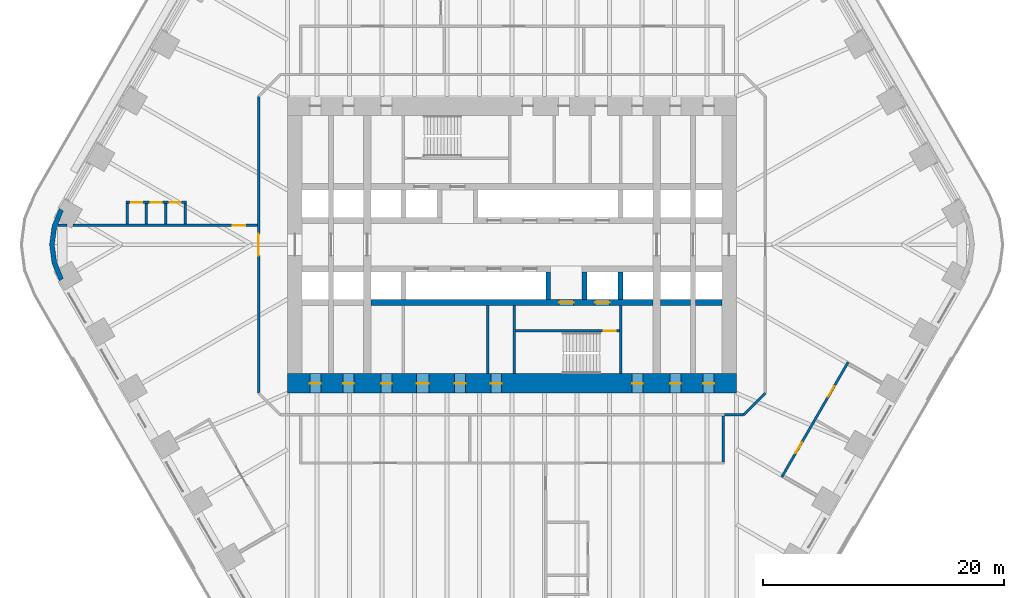
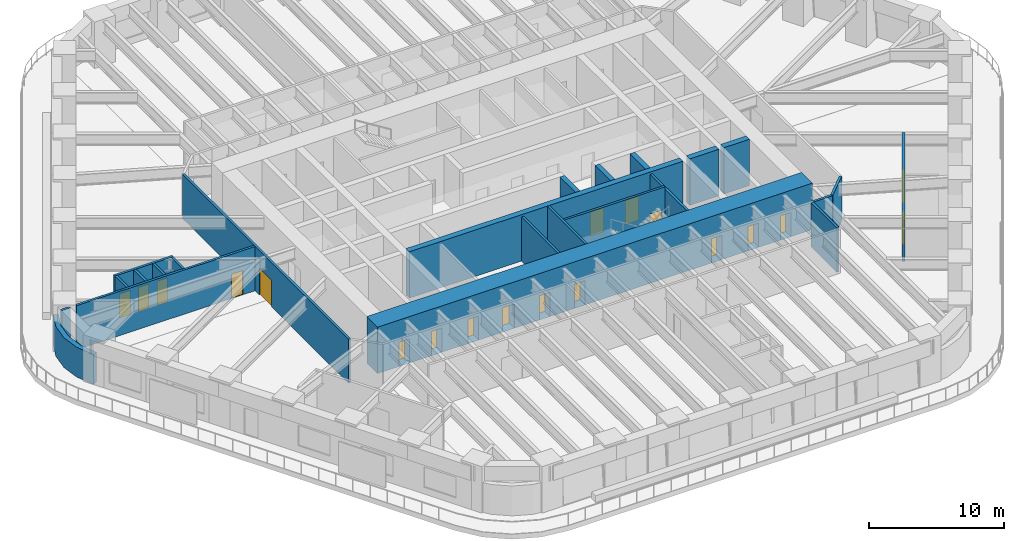
# One storey, part 17 of 23: 24 walls, 19 doors, 19 openings.
"""IFC4 building model written with IfcOpenShell, lengths in metres."""

from ifc_helpers import new_model, si_unit, direction, frame, frame_2d, origin, place, context, subcontext, project, spatial, polyline, rectangle, outline, extrude, material, layer, layer_set, type_object, element, fill, save


model = new_model("IFC4")

# Units and contexts
model_context = context("Model", 3, precision=1e-05, world=origin(), true_north=direction((0.0, 1.0)))
body_context = subcontext(model_context, "Body", "Model", "MODEL_VIEW")
ifc_project = project(units=[si_unit("LENGTHUNIT", "METRE"), si_unit("AREAUNIT", "SQUARE_METRE"), si_unit("VOLUMEUNIT", "CUBIC_METRE"), si_unit("PLANEANGLEUNIT", "RADIAN"), si_unit("MASSUNIT", "GRAM", prefix="KILO")], contexts=[model_context])

# Site, building, storey
site_placement = place(None, origin())
site = spatial("IfcSite", under=ifc_project, at=site_placement, CompositionType="ELEMENT")
building_placement = place(site_placement, origin())
building = spatial("IfcBuilding", under=site, at=building_placement, Name="Tarfa Lantern Tower", CompositionType="ELEMENT")
storey_placement = place(building_placement, frame((0.0, 0.0, 86.5)))
storey = spatial("IfcBuildingStorey", under=building, at=storey_placement, Name="L19", CompositionType="ELEMENT", Elevation=86.5)

# Walls
ifc_material_1 = material(Name="Limestone cladding on blockwork", Category="masonry")
ifc_layer_1 = layer(ifc_material_1, 0.39990234375)
ifc_layer_set_1 = layer_set([ifc_layer_1], Name="EW2 CURVED STONE CORNER 400")
wall_type_1 = type_object("IfcWallType", Name="EW2 CURVED STONE CORNER 400", PredefinedType="SOLIDWALL", material=ifc_layer_set_1)
wall_1_placement = place(storey_placement, origin())
element("IfcWall", 1, at=wall_1_placement, inside=storey, type_object=wall_type_1, Name="Stone corner NW-SW", PredefinedType="SOLIDWALL", context=body_context, shape_type="SweptSolid", body=[
    extrude(outline(polyline([(-37.52783203125, 3.0), (-38.127197265625, 1.552978515625), (-38.33154296875, 0.0), (-38.127197265625, -1.552978515625), (-37.52783203125, -3.0), (-37.181396484375, -2.800048828125), (-37.74072265625, -1.449462890625), (-37.931640625, 0.0), (-37.74072265625, 1.449462890625), (-37.181396484375, 2.800048828125), (-37.52783203125, 3.0)])), origin(), (0.0, 0.0, 1.0), 2.699951171875),
])
ifc_material_2 = material(Name="Concrete blockwork", Category="masonry")
ifc_layer_2 = layer(ifc_material_2, 0.199951171875)
ifc_layer_set_2 = layer_set([ifc_layer_2], Name="IW1 BLOCKWORK PARTITION 200 EI 120")
wall_type_2 = type_object("IfcWallType", Name="IW1 BLOCKWORK PARTITION 200 EI 120", PredefinedType="PARTITIONING", material=ifc_layer_set_2)
for number, where, z_axis, x_axis, name in (
    (2, (9.0, -5.050048828125, 0.0), (0.0, 0.0, 1.0), (0.0, -1.0, 0.0), "Core partition"),
    (3, (-2.0, -5.050048828125, 0.0), (0.0, 0.0, 1.0), (0.0, -1.0, 0.0), "Core partition"),
):
    element("IfcWall", number, at=place(storey_placement, frame(where, z_axis=z_axis, x_axis=x_axis)), inside=storey, type_object=wall_type_2, Name=name, PredefinedType="PARTITIONING", context=body_context, shape_type="SweptSolid", body=[
        extrude(rectangle(XDim=5.64990234375, YDim=0.199951171875, at=frame_2d((2.824951171875, 0.0))), origin(), (0.0, 0.0, 1.0), 4.0),
    ])
ifc_material_3 = material(Name="Gypsum board on steel studs", Category="steel")
ifc_layer_3 = layer(ifc_material_3, 0.2099609375)
ifc_layer_set_3 = layer_set([ifc_layer_3], Name="IW2 ACOUSTIC PARTITION 200")
wall_type_3 = type_object("IfcWallType", Name="IW2 ACOUSTIC PARTITION 200", PredefinedType="PARTITIONING", material=ifc_layer_set_3)
wall_2_placement = place(storey_placement, frame((17.5, -14.199951171875, 0.0), z_axis=(0.0, 0.0, 1.0), x_axis=(0.0, -1.0, 0.0)))
element("IfcWall", 4, at=wall_2_placement, inside=storey, type_object=wall_type_3, Name="Partition", PredefinedType="PARTITIONING", context=body_context, shape_type="SweptSolid", body=[
    extrude(rectangle(XDim=3.800048828125, YDim=0.199951171875, at=frame_2d((1.89990234375, 0.0))), origin(), (0.0, 0.0, 1.0), 4.0),
])

# Wall, openings, doors
wall_3_placement = place(storey_placement, frame((22.370361328125, -19.253173828125, 0.0), z_axis=(0.0, 0.0, 1.0), x_axis=(0.500018936051, 0.866014470774, 0.0)))
wall_3 = element("IfcWall", 5, at=wall_3_placement, inside=storey, type_object=wall_type_3, Name="Partition", PredefinedType="PARTITIONING", context=body_context, shape_type="SweptSolid", body=[
    extrude(rectangle(XDim=10.97705078125, YDim=0.199951171875, at=frame_2d((5.488525390625, 0.0))), origin(), (0.0, 0.0, 1.0), 4.0),
])
opening_1_placement = place(wall_3_placement, frame((2.294189453125, 0.0, 0.0)))
opening_1 = element("IfcOpeningElement", 6, at=opening_1_placement, cuts=wall_3, Name="Opening D29", PredefinedType="OPENING", context=body_context, shape_type="SweptSolid", body=[
    extrude(rectangle(XDim=1.0, YDim=2.199951171875, at=frame_2d((0.5, 1.10009765625))), frame((0.0, 0.10986328125, 0.0), z_axis=(0.0, -1.0, 0.0), x_axis=(1.0, 0.0, 0.0)), (0.0, 0.0, 1.0), 0.219970703125),
])
opening_2_placement = place(wall_3_placement, frame((7.682861328125, 0.0, 0.0)))
opening_2 = element("IfcOpeningElement", 7, at=opening_2_placement, cuts=wall_3, Name="Opening D30", PredefinedType="OPENING", context=body_context, shape_type="SweptSolid", body=[
    extrude(rectangle(XDim=1.0, YDim=2.199951171875, at=frame_2d((0.5, 1.10009765625))), frame((0.0, 0.10986328125, 0.0), z_axis=(0.0, -1.0, 0.0), x_axis=(1.0, 0.0, 0.0)), (0.0, 0.0, 1.0), 0.219970703125),
])
ifc_material_4 = material(Name="Timber door", Category="wood")
door_type_1 = type_object("IfcDoorType", Name="DR1 ROOM DOOR 1000x2200", OperationType="SINGLE_SWING_LEFT", PredefinedType="DOOR", material=ifc_material_4)
door_1_placement = place(opening_1_placement, frame((1.0, 0.0, 0.0), z_axis=(0.0, 0.0, 1.0), x_axis=(-1.0, 0.0, 0.0)))
door_1 = element("IfcDoor", 8, at=door_1_placement, inside=storey, type_object=door_type_1, Name="Wellness room door", OperationType="SINGLE_SWING_LEFT", OverallHeight=2.199951171875, OverallWidth=1.0, PredefinedType="DOOR", context=body_context, shape_type="SweptSolid", body=[
    extrude(rectangle(XDim=1.0, YDim=2.199951171875, at=frame_2d((0.5, 1.10009765625))), frame((0.0, 0.02490234375, 0.0), z_axis=(0.0, -1.0, 0.0), x_axis=(1.0, 0.0, 0.0)), (0.0, 0.0, 1.0), 0.050048828125),
])
fill(opening_1, door_1)
door_2_placement = place(opening_2_placement, frame((1.0, 0.0, 0.0), z_axis=(0.0, 0.0, 1.0), x_axis=(-1.0, 0.0, 0.0)))
door_2 = element("IfcDoor", 9, at=door_2_placement, inside=storey, type_object=door_type_1, Name="Mothers' room door", OperationType="SINGLE_SWING_RIGHT", OverallHeight=2.199951171875, OverallWidth=1.0, PredefinedType="DOOR", context=body_context, shape_type="SweptSolid", body=[
    extrude(rectangle(XDim=1.0, YDim=2.199951171875, at=frame_2d((0.5, 1.10009765625))), frame((0.0, 0.02490234375, 0.0), z_axis=(0.0, -1.0, 0.0), x_axis=(1.0, 0.0, 0.0)), (0.0, 0.0, 1.0), 0.050048828125),
])
fill(opening_2, door_2)

# Walls
wall_4_placement = place(storey_placement, frame((21.0, -12.300048828125, 0.0), z_axis=(0.0, 0.0, 1.0), x_axis=(-0.707106781187, -0.707106781187, 0.0)))
element("IfcWall", 10, at=wall_4_placement, inside=storey, type_object=wall_type_3, Name="Partition", PredefinedType="PARTITIONING", context=body_context, shape_type="SweptSolid", body=[
    extrude(rectangle(XDim=2.545654296875, YDim=0.199951171875, at=frame_2d((1.27294921875, 0.0))), origin(), (0.0, 0.0, 1.0), 4.0),
])
wall_5_placement = place(storey_placement, frame((19.199951171875, -14.10009765625, 0.0), z_axis=(0.0, 0.0, 1.0), x_axis=(-1.0, 0.0, 0.0)))
element("IfcWall", 11, at=wall_5_placement, inside=storey, type_object=wall_type_3, Name="Partition", PredefinedType="PARTITIONING", context=body_context, shape_type="SweptSolid", body=[
    extrude(rectangle(XDim=1.599853515625, YDim=0.199951171875, at=frame_2d((0.7998046875, 0.0))), origin(), (0.0, 0.0, 1.0), 4.0),
])

# Wall, opening, door
wall_6_placement = place(storey_placement, frame((-21.0, -12.300048828125, 0.0), z_axis=(0.0, 0.0, 1.0), x_axis=(0.0, 1.0, 0.0)))
wall_6 = element("IfcWall", 12, at=wall_6_placement, inside=storey, type_object=wall_type_3, Name="Partition", PredefinedType="PARTITIONING", context=body_context, shape_type="SweptSolid", body=[
    extrude(rectangle(XDim=24.60009765625, YDim=0.199951171875, at=frame_2d((12.300048828125, 0.0))), origin(), (0.0, 0.0, 1.0), 4.0),
])
opening_3_placement = place(wall_6_placement, frame((11.39990234375, 0.0, 0.0)))
opening_3 = element("IfcOpeningElement", 13, at=opening_3_placement, cuts=wall_6, Name="Opening D43", PredefinedType="OPENING", context=body_context, shape_type="SweptSolid", body=[
    extrude(rectangle(XDim=1.800048828125, YDim=2.39990234375, at=frame_2d((0.89990234375, 1.199951171875))), frame((0.0, 0.10986328125, 0.0), z_axis=(0.0, -1.0, 0.0), x_axis=(1.0, 0.0, 0.0)), (0.0, 0.0, 1.0), 0.219970703125),
])
door_type_2 = type_object("IfcDoorType", Name="DR2 ROOM DOOR 1800x2400", OperationType="DOUBLE_DOOR_SINGLE_SWING", PredefinedType="DOOR", material=ifc_material_4)
door_3_placement = place(opening_3_placement, origin())
door_3 = element("IfcDoor", 14, at=door_3_placement, inside=storey, type_object=door_type_2, Name="Corridor door", OperationType="DOUBLE_DOOR_SINGLE_SWING", OverallHeight=2.39990234375, OverallWidth=1.800048828125, PredefinedType="DOOR", context=body_context, shape_type="SweptSolid", body=[
    extrude(rectangle(XDim=1.800048828125, YDim=2.39990234375, at=frame_2d((0.89990234375, 1.199951171875))), frame((0.0, 0.02490234375, 0.0), z_axis=(0.0, -1.0, 0.0), x_axis=(1.0, 0.0, 0.0)), (0.0, 0.0, 1.0), 0.050048828125),
])
fill(opening_3, door_3)

wall_7_placement = place(storey_placement, frame((-21.10009765625, 1.60009765625, 0.0), z_axis=(0.0, 0.0, 1.0), x_axis=(-1.0, 0.0, 0.0)))
wall_7 = element("IfcWall", 15, at=wall_7_placement, inside=storey, type_object=wall_type_3, Name="Partition", PredefinedType="PARTITIONING", context=body_context, shape_type="SweptSolid", body=[
    extrude(rectangle(XDim=15.27294921875, YDim=0.199951171875, at=frame_2d((7.636474609375, 0.0))), origin(), (0.0, 0.0, 1.0), 4.0),
])
opening_4_placement = place(wall_7_placement, frame((1.02734375, 0.0, 0.0)))
opening_4 = element("IfcOpeningElement", 16, at=opening_4_placement, cuts=wall_7, Name="Opening D46", PredefinedType="OPENING", context=body_context, shape_type="SweptSolid", body=[
    extrude(rectangle(XDim=1.0, YDim=2.199951171875, at=frame_2d((0.5, 1.10009765625))), frame((0.0, 0.10986328125, 0.0), z_axis=(0.0, -1.0, 0.0), x_axis=(1.0, 0.0, 0.0)), (0.0, 0.0, 1.0), 0.219970703125),
])
door_4_placement = place(opening_4_placement, frame((1.0, 0.0, 0.0), z_axis=(0.0, 0.0, 1.0), x_axis=(-1.0, 0.0, 0.0)))
door_4 = element("IfcDoor", 17, at=door_4_placement, inside=storey, type_object=door_type_1, Name="Zone door", OperationType="SINGLE_SWING_LEFT", OverallHeight=2.199951171875, OverallWidth=1.0, PredefinedType="DOOR", context=body_context, shape_type="SweptSolid", body=[
    extrude(rectangle(XDim=1.0, YDim=2.199951171875, at=frame_2d((0.5, 1.10009765625))), frame((0.0, 0.02490234375, 0.0), z_axis=(0.0, -1.0, 0.0), x_axis=(1.0, 0.0, 0.0)), (0.0, 0.0, 1.0), 0.050048828125),
])
fill(opening_4, door_4)

# Wall
wall_8_placement = place(storey_placement, frame((-36.90283203125, 1.60009765625, 0.0), z_axis=(0.0, 0.0, 1.0), x_axis=(-1.0, 0.0, 0.0)))
element("IfcWall", 18, at=wall_8_placement, inside=storey, type_object=wall_type_3, Name="Partition", PredefinedType="PARTITIONING", context=body_context, shape_type="SweptSolid", body=[
    extrude(rectangle(XDim=0.734375, YDim=0.199951171875, at=frame_2d((0.3671875, 0.0))), origin(), (0.0, 0.0, 1.0), 4.0),
])

# Wall, openings, doors
wall_9_placement = place(storey_placement, frame((-27.000244140625, 3.5, 0.0), z_axis=(0.0, 0.0, 1.0), x_axis=(-1.0, 0.0, 0.0)))
wall_9 = element("IfcWall", 19, at=wall_9_placement, inside=storey, type_object=wall_type_3, Name="Partition", PredefinedType="PARTITIONING", context=body_context, shape_type="SweptSolid", body=[
    extrude(rectangle(XDim=5.0, YDim=0.199951171875, at=frame_2d((2.5, 0.0))), origin(), (0.0, 0.0, 1.0), 4.0),
])
opening_5_placement = place(wall_9_placement, frame((0.449951171875, 0.0, 0.0)))
opening_5 = element("IfcOpeningElement", 20, at=opening_5_placement, cuts=wall_9, Name="Opening D39", PredefinedType="OPENING", context=body_context, shape_type="SweptSolid", body=[
    extrude(rectangle(XDim=0.89990234375, YDim=2.199951171875, at=frame_2d((0.449951171875, 1.10009765625))), frame((0.0, 0.10986328125, 0.0), z_axis=(0.0, -1.0, 0.0), x_axis=(1.0, 0.0, 0.0)), (0.0, 0.0, 1.0), 0.219970703125),
])
opening_6_placement = place(wall_9_placement, frame((2.050048828125, 0.0, 0.0)))
opening_6 = element("IfcOpeningElement", 21, at=opening_6_placement, cuts=wall_9, Name="Opening D40", PredefinedType="OPENING", context=body_context, shape_type="SweptSolid", body=[
    extrude(rectangle(XDim=0.89990234375, YDim=2.199951171875, at=frame_2d((0.449951171875, 1.10009765625))), frame((0.0, 0.10986328125, 0.0), z_axis=(0.0, -1.0, 0.0), x_axis=(1.0, 0.0, 0.0)), (0.0, 0.0, 1.0), 0.219970703125),
])
opening_7_placement = place(wall_9_placement, frame((3.64990234375, 0.0, 0.0)))
opening_7 = element("IfcOpeningElement", 22, at=opening_7_placement, cuts=wall_9, Name="Opening D41", PredefinedType="OPENING", context=body_context, shape_type="SweptSolid", body=[
    extrude(rectangle(XDim=0.89990234375, YDim=2.199951171875, at=frame_2d((0.449951171875, 1.10009765625))), frame((0.0, 0.10986328125, 0.0), z_axis=(0.0, -1.0, 0.0), x_axis=(1.0, 0.0, 0.0)), (0.0, 0.0, 1.0), 0.219970703125),
])
door_type_3 = type_object("IfcDoorType", Name="DR3 ROOM DOOR 900x2200", OperationType="SINGLE_SWING_LEFT", PredefinedType="DOOR", material=ifc_material_4)
door_5_placement = place(opening_5_placement, origin())
door_5 = element("IfcDoor", 23, at=door_5_placement, inside=storey, type_object=door_type_3, Name="Phone booth door", OperationType="SINGLE_SWING_RIGHT", OverallHeight=2.199951171875, OverallWidth=0.89990234375, PredefinedType="DOOR", context=body_context, shape_type="SweptSolid", body=[
    extrude(rectangle(XDim=0.89990234375, YDim=2.199951171875, at=frame_2d((0.449951171875, 1.10009765625))), frame((0.0, 0.02490234375, 0.0), z_axis=(0.0, -1.0, 0.0), x_axis=(1.0, 0.0, 0.0)), (0.0, 0.0, 1.0), 0.050048828125),
])
fill(opening_5, door_5)
door_6_placement = place(opening_6_placement, origin())
door_6 = element("IfcDoor", 24, at=door_6_placement, inside=storey, type_object=door_type_3, Name="Phone booth door", OperationType="SINGLE_SWING_LEFT", OverallHeight=2.199951171875, OverallWidth=0.89990234375, PredefinedType="DOOR", context=body_context, shape_type="SweptSolid", body=[
    extrude(rectangle(XDim=0.89990234375, YDim=2.199951171875, at=frame_2d((0.449951171875, 1.10009765625))), frame((0.0, 0.02490234375, 0.0), z_axis=(0.0, -1.0, 0.0), x_axis=(1.0, 0.0, 0.0)), (0.0, 0.0, 1.0), 0.050048828125),
])
fill(opening_6, door_6)
door_7_placement = place(opening_7_placement, origin())
door_7 = element("IfcDoor", 25, at=door_7_placement, inside=storey, type_object=door_type_3, Name="Phone booth door", OperationType="SINGLE_SWING_LEFT", OverallHeight=2.199951171875, OverallWidth=0.89990234375, PredefinedType="DOOR", context=body_context, shape_type="SweptSolid", body=[
    extrude(rectangle(XDim=0.89990234375, YDim=2.199951171875, at=frame_2d((0.449951171875, 1.10009765625))), frame((0.0, 0.02490234375, 0.0), z_axis=(0.0, -1.0, 0.0), x_axis=(1.0, 0.0, 0.0)), (0.0, 0.0, 1.0), 0.050048828125),
])
fill(opening_7, door_7)

# Walls
for number, where, z_axis, x_axis, name in (
    (26, (-27.10009765625, 1.699951171875, 0.0), (0.0, 0.0, 1.0), (0.0, 1.0, 0.0), "Partition"),
    (27, (-28.7001953125, 1.699951171875, 0.0), (0.0, 0.0, 1.0), (0.0, 1.0, 0.0), "Partition"),
    (28, (-30.30029296875, 1.699951171875, 0.0), (0.0, 0.0, 1.0), (0.0, 1.0, 0.0), "Partition"),
    (29, (-31.900146484375, 1.699951171875, 0.0), (0.0, 0.0, 1.0), (0.0, 1.0, 0.0), "Partition"),
):
    element("IfcWall", number, at=place(storey_placement, frame(where, z_axis=z_axis, x_axis=x_axis)), inside=storey, type_object=wall_type_3, Name=name, PredefinedType="PARTITIONING", context=body_context, shape_type="SweptSolid", body=[
        extrude(rectangle(XDim=1.699951171875, YDim=0.199951171875, at=frame_2d((0.85009765625, 0.0))), origin(), (0.0, 0.0, 1.0), 4.0),
    ])
ifc_material_5 = material(Name="Concrete C80/95", Category="concrete")
ifc_layer_4 = layer(ifc_material_5, 0.199951171875)
ifc_layer_set_4 = layer_set([ifc_layer_4], Name="SW12 CORE WALL 200")
wall_type_4 = type_object("IfcWallType", Name="SW12 CORE WALL 200", PredefinedType="SHEAR", material=ifc_layer_set_4)
wall_10_placement = place(storey_placement, frame((0.199951171875, -5.050048828125, 0.0), z_axis=(0.0, 0.0, 1.0), x_axis=(0.0, -1.0, 0.0)))
element("IfcWall", 30, at=wall_10_placement, inside=storey, type_object=wall_type_4, Name="Core wall stair shaft S", PredefinedType="SHEAR", context=body_context, shape_type="SweptSolid", body=[
    extrude(rectangle(XDim=5.64990234375, YDim=0.199951171875, at=frame_2d((2.824951171875, 0.0))), origin(), (0.0, 0.0, 1.0), 4.199951171875),
])

# Wall, opening, door
wall_11_placement = place(storey_placement, frame((8.89990234375, -7.14990234375, 0.0), z_axis=(0.0, 0.0, 1.0), x_axis=(-1.0, 0.0, 0.0)))
wall_11 = element("IfcWall", 31, at=wall_11_placement, inside=storey, type_object=wall_type_4, Name="Core wall stair partition S", PredefinedType="SHEAR", context=body_context, shape_type="SweptSolid", body=[
    extrude(rectangle(XDim=8.599853515625, YDim=0.199951171875, at=frame_2d((4.2998046875, 0.0))), origin(), (0.0, 0.0, 1.0), 4.199951171875),
])
opening_8_placement = place(wall_11_placement, frame((0.300048828125, 0.0, 0.0)))
opening_8 = element("IfcOpeningElement", 32, at=opening_8_placement, cuts=wall_11, Name="Opening D24", PredefinedType="OPENING", context=body_context, shape_type="SweptSolid", body=[
    extrude(rectangle(XDim=1.0, YDim=2.199951171875, at=frame_2d((0.5, 1.10009765625))), frame((0.0, 0.10986328125, 0.0), z_axis=(0.0, -1.0, 0.0), x_axis=(1.0, 0.0, 0.0)), (0.0, 0.0, 1.0), 0.219970703125),
])
ifc_material_6 = material(Name="Steel fire door", Category="steel")
door_type_4 = type_object("IfcDoorType", Name="DF2 STAIR DOOR 1000x2200", OperationType="SINGLE_SWING_LEFT", PredefinedType="DOOR", material=ifc_material_6)
door_8_placement = place(opening_8_placement, origin())
door_8 = element("IfcDoor", 33, at=door_8_placement, inside=storey, type_object=door_type_4, Name="Stair door", OperationType="SINGLE_SWING_RIGHT", OverallHeight=2.199951171875, OverallWidth=1.0, PredefinedType="DOOR", context=body_context, shape_type="SweptSolid", body=[
    extrude(rectangle(XDim=1.0, YDim=2.199951171875, at=frame_2d((0.5, 1.10009765625))), frame((0.0, 0.02490234375, 0.0), z_axis=(0.0, -1.0, 0.0), x_axis=(1.0, 0.0, 0.0)), (0.0, 0.0, 1.0), 0.050048828125),
])
fill(opening_8, door_8)

# Walls
ifc_layer_5 = layer(ifc_material_5, 0.5)
ifc_layer_set_5 = layer_set([ifc_layer_5], Name="SW5 CORE WALL 500")
wall_type_5 = type_object("IfcWallType", Name="SW5 CORE WALL 500", PredefinedType="SHEAR", material=ifc_layer_set_5)
wall_12_placement = place(storey_placement, frame((17.39990234375, -4.800048828125, 0.0), z_axis=(0.0, 0.0, 1.0), x_axis=(-1.0, 0.0, 0.0)))
element("IfcWall", 34, at=wall_12_placement, inside=storey, type_object=wall_type_5, Name="Core wall rear S", PredefinedType="SHEAR", context=body_context, shape_type="SweptSolid", body=[
    extrude(rectangle(XDim=2.199951171875, YDim=0.5, at=frame_2d((1.10009765625, 0.0))), origin(), (0.0, 0.0, 1.0), 4.199951171875),
])
wall_13_placement = place(storey_placement, frame((14.800048828125, -4.800048828125, 0.0), z_axis=(0.0, 0.0, 1.0), x_axis=(-1.0, 0.0, 0.0)))
element("IfcWall", 35, at=wall_13_placement, inside=storey, type_object=wall_type_5, Name="Core wall rear S", PredefinedType="SHEAR", context=body_context, shape_type="SweptSolid", body=[
    extrude(rectangle(XDim=2.5, YDim=0.5, at=frame_2d((1.25, 0.0))), origin(), (0.0, 0.0, 1.0), 4.199951171875),
])

# Wall, openings, doors
wall_14_placement = place(storey_placement, frame((11.699951171875, -4.800048828125, 0.0), z_axis=(0.0, 0.0, 1.0), x_axis=(-1.0, 0.0, 0.0)))
wall_14 = element("IfcWall", 36, at=wall_14_placement, inside=storey, type_object=wall_type_5, Name="Core wall rear S", PredefinedType="SHEAR", context=body_context, shape_type="SweptSolid", body=[
    extrude(rectangle(XDim=23.39990234375, YDim=0.5, at=frame_2d((11.699951171875, 0.0))), origin(), (0.0, 0.0, 1.0), 4.199951171875),
])
opening_9_placement = place(wall_14_placement, frame((6.60009765625, 0.0, 0.0)))
opening_9 = element("IfcOpeningElement", 37, at=opening_9_placement, cuts=wall_14, Name="Opening D14", PredefinedType="OPENING", context=body_context, shape_type="SweptSolid", body=[
    extrude(rectangle(XDim=1.199951171875, YDim=2.199951171875, at=frame_2d((0.60009765625, 1.10009765625))), frame((0.0, 0.260009765625, 0.0), z_axis=(0.0, -1.0, 0.0), x_axis=(1.0, 0.0, 0.0)), (0.0, 0.0, 1.0), 0.52001953125),
])
opening_10_placement = place(wall_14_placement, frame((3.60009765625, 0.0, 0.0)))
opening_10 = element("IfcOpeningElement", 38, at=opening_10_placement, cuts=wall_14, Name="Opening LD02", PredefinedType="OPENING", context=body_context, shape_type="SweptSolid", body=[
    extrude(rectangle(XDim=1.199951171875, YDim=2.199951171875, at=frame_2d((0.60009765625, 1.10009765625))), frame((0.0, 0.260009765625, 0.0), z_axis=(0.0, -1.0, 0.0), x_axis=(1.0, 0.0, 0.0)), (0.0, 0.0, 1.0), 0.52001953125),
])
door_type_5 = type_object("IfcDoorType", Name="DF1 FIREFIGHTING LOBBY DOOR 1200x2200", OperationType="SINGLE_SWING_LEFT", PredefinedType="DOOR", material=ifc_material_6)
door_9_placement = place(opening_9_placement, origin())
door_9 = element("IfcDoor", 39, at=door_9_placement, inside=storey, type_object=door_type_5, Name="Firefighting lobby door", OperationType="SINGLE_SWING_LEFT", OverallHeight=2.199951171875, OverallWidth=1.199951171875, PredefinedType="DOOR", context=body_context, shape_type="SweptSolid", body=[
    extrude(rectangle(XDim=1.199951171875, YDim=2.199951171875, at=frame_2d((0.60009765625, 1.10009765625))), frame((0.0, 0.02490234375, 0.0), z_axis=(0.0, -1.0, 0.0), x_axis=(1.0, 0.0, 0.0)), (0.0, 0.0, 1.0), 0.050048828125),
])
fill(opening_9, door_9)
ifc_material_7 = material(Name="Stainless steel lift door", Category="steel")
door_type_6 = type_object("IfcDoorType", Name="LD1 LIFT LANDING DOOR 1200x2200", OperationType="SLIDING_TO_LEFT", PredefinedType="DOOR", material=ifc_material_7)
door_10_placement = place(opening_10_placement, origin())
door_10 = element("IfcDoor", 40, at=door_10_placement, inside=storey, type_object=door_type_6, Name="Landing door FL2", OperationType="SLIDING_TO_LEFT", OverallHeight=2.199951171875, OverallWidth=1.199951171875, PredefinedType="DOOR", context=body_context, shape_type="SweptSolid", body=[
    extrude(rectangle(XDim=1.199951171875, YDim=2.199951171875, at=frame_2d((0.60009765625, 1.10009765625))), frame((0.0, 0.02490234375, 0.0), z_axis=(0.0, -1.0, 0.0), x_axis=(1.0, 0.0, 0.0)), (0.0, 0.0, 1.0), 0.050048828125),
])
fill(opening_10, door_10)

# Walls
ifc_layer_6 = layer(ifc_material_5, 0.39990234375)
ifc_layer_set_6 = layer_set([ifc_layer_6], Name="SW6 CORE WALL 400")
wall_type_6 = type_object("IfcWallType", Name="SW6 CORE WALL 400", PredefinedType="SHEAR", material=ifc_layer_set_6)
for number, where, z_axis, x_axis, name in (
    (41, (9.0, -2.25, 0.0), (0.0, 0.0, 1.0), (0.0, -1.0, 0.0), "Core wall divider S"),
    (42, (6.0, -2.25, 0.0), (0.0, 0.0, 1.0), (0.0, -1.0, 0.0), "Core wall divider S"),
    (43, (3.0, -2.25, 0.0), (0.0, 0.0, 1.0), (0.0, -1.0, 0.0), "Core wall divider S"),
):
    element("IfcWall", number, at=place(storey_placement, frame(where, z_axis=z_axis, x_axis=x_axis)), inside=storey, type_object=wall_type_6, Name=name, PredefinedType="SHEAR", context=body_context, shape_type="SweptSolid", body=[
        extrude(rectangle(XDim=2.300048828125, YDim=0.39990234375, at=frame_2d((1.14990234375, 0.0))), origin(), (0.0, 0.0, 1.0), 4.199951171875),
    ])

# Wall, openings, doors
ifc_layer_7 = layer(ifc_material_5, 1.60009765625)
ifc_layer_set_7 = layer_set([ifc_layer_7], Name="SW7 CORE WALL 1600")
wall_type_7 = type_object("IfcWallType", Name="SW7 CORE WALL 1600", PredefinedType="SHEAR", material=ifc_layer_set_7)
wall_15_placement = place(storey_placement, frame((18.60009765625, -11.5, 0.0), z_axis=(0.0, 0.0, 1.0), x_axis=(-1.0, 0.0, 0.0)))
wall_15 = element("IfcWall", 44, at=wall_15_placement, inside=storey, type_object=wall_type_7, Name="Core wall S", PredefinedType="SHEAR", context=body_context, shape_type="SweptSolid", body=[
    extrude(rectangle(XDim=37.2001953125, YDim=1.60009765625, at=frame_2d((18.60009765625, 0.0))), origin(), (0.0, 0.0, 1.0), 4.199951171875),
])
opening_11_placement = place(wall_15_placement, frame((19.449951171875, 0.0, 0.0)))
opening_11 = element("IfcOpeningElement", 45, at=opening_11_placement, cuts=wall_15, Name="Opening D18", PredefinedType="OPENING", context=body_context, shape_type="SweptSolid", body=[
    extrude(rectangle(XDim=0.89990234375, YDim=2.199951171875, at=frame_2d((0.449951171875, 1.10009765625))), frame((0.0, 0.81005859375, 0.0), z_axis=(0.0, -1.0, 0.0), x_axis=(1.0, 0.0, 0.0)), (0.0, 0.0, 1.0), 1.6201171875),
])
opening_12_placement = place(wall_15_placement, frame((22.449951171875, 0.0, 0.0)))
opening_12 = element("IfcOpeningElement", 46, at=opening_12_placement, cuts=wall_15, Name="Opening D20", PredefinedType="OPENING", context=body_context, shape_type="SweptSolid", body=[
    extrude(rectangle(XDim=0.89990234375, YDim=2.199951171875, at=frame_2d((0.449951171875, 1.10009765625))), frame((0.0, 0.81005859375, 0.0), z_axis=(0.0, -1.0, 0.0), x_axis=(1.0, 0.0, 0.0)), (0.0, 0.0, 1.0), 1.6201171875),
])
opening_13_placement = place(wall_15_placement, frame((25.5, 0.0, 0.0)))
opening_13 = element("IfcOpeningElement", 47, at=opening_13_placement, cuts=wall_15, Name="Opening D22", PredefinedType="OPENING", context=body_context, shape_type="SweptSolid", body=[
    extrude(rectangle(XDim=1.0, YDim=2.199951171875, at=frame_2d((0.5, 1.10009765625))), frame((0.0, 0.81005859375, 0.0), z_axis=(0.0, -1.0, 0.0), x_axis=(1.0, 0.0, 0.0)), (0.0, 0.0, 1.0), 1.6201171875),
])
opening_14_placement = place(wall_15_placement, frame((1.85009765625, 0.0, 0.0)))
opening_14 = element("IfcOpeningElement", 48, at=opening_14_placement, cuts=wall_15, Name="Opening D12", PredefinedType="OPENING", context=body_context, shape_type="SweptSolid", body=[
    extrude(rectangle(XDim=0.89990234375, YDim=2.199951171875, at=frame_2d((0.449951171875, 1.10009765625))), frame((0.0, 0.81005859375, 0.0), z_axis=(0.0, -1.0, 0.0), x_axis=(1.0, 0.0, 0.0)), (0.0, 0.0, 1.0), 1.6201171875),
])
opening_15_placement = place(wall_15_placement, frame((4.60009765625, 0.0, 0.0)))
opening_15 = element("IfcOpeningElement", 49, at=opening_15_placement, cuts=wall_15, Name="Opening D08", PredefinedType="OPENING", context=body_context, shape_type="SweptSolid", body=[
    extrude(rectangle(XDim=0.89990234375, YDim=2.199951171875, at=frame_2d((0.449951171875, 1.10009765625))), frame((0.0, 0.81005859375, 0.0), z_axis=(0.0, -1.0, 0.0), x_axis=(1.0, 0.0, 0.0)), (0.0, 0.0, 1.0), 1.6201171875),
])
opening_16_placement = place(wall_15_placement, frame((7.75, 0.0, 0.0)))
opening_16 = element("IfcOpeningElement", 50, at=opening_16_placement, cuts=wall_15, Name="Opening D10", PredefinedType="OPENING", context=body_context, shape_type="SweptSolid", body=[
    extrude(rectangle(XDim=0.89990234375, YDim=2.199951171875, at=frame_2d((0.449951171875, 1.10009765625))), frame((0.0, 0.81005859375, 0.0), z_axis=(0.0, -1.0, 0.0), x_axis=(1.0, 0.0, 0.0)), (0.0, 0.0, 1.0), 1.6201171875),
])
opening_17_placement = place(wall_15_placement, frame((28.550048828125, 0.0, 0.0)))
opening_17 = element("IfcOpeningElement", 51, at=opening_17_placement, cuts=wall_15, Name="Opening D06", PredefinedType="OPENING", context=body_context, shape_type="SweptSolid", body=[
    extrude(rectangle(XDim=0.89990234375, YDim=2.199951171875, at=frame_2d((0.449951171875, 1.10009765625))), frame((0.0, 0.81005859375, 0.0), z_axis=(0.0, -1.0, 0.0), x_axis=(1.0, 0.0, 0.0)), (0.0, 0.0, 1.0), 1.6201171875),
])
opening_18_placement = place(wall_15_placement, frame((31.699951171875, 0.0, 0.0)))
opening_18 = element("IfcOpeningElement", 52, at=opening_18_placement, cuts=wall_15, Name="Opening D02", PredefinedType="OPENING", context=body_context, shape_type="SweptSolid", body=[
    extrude(rectangle(XDim=0.89990234375, YDim=2.199951171875, at=frame_2d((0.449951171875, 1.10009765625))), frame((0.0, 0.81005859375, 0.0), z_axis=(0.0, -1.0, 0.0), x_axis=(1.0, 0.0, 0.0)), (0.0, 0.0, 1.0), 1.6201171875),
])
opening_19_placement = place(wall_15_placement, frame((34.449951171875, 0.0, 0.0)))
opening_19 = element("IfcOpeningElement", 53, at=opening_19_placement, cuts=wall_15, Name="Opening D04", PredefinedType="OPENING", context=body_context, shape_type="SweptSolid", body=[
    extrude(rectangle(XDim=0.89990234375, YDim=2.199951171875, at=frame_2d((0.449951171875, 1.10009765625))), frame((0.0, 0.81005859375, 0.0), z_axis=(0.0, -1.0, 0.0), x_axis=(1.0, 0.0, 0.0)), (0.0, 0.0, 1.0), 1.6201171875),
])
door_type_7 = type_object("IfcDoorType", Name="DF3 CORE ROOM DOOR 900x2200", OperationType="SINGLE_SWING_LEFT", PredefinedType="DOOR", material=ifc_material_6)
door_11_placement = place(opening_11_placement, frame((0.89990234375, 0.0, 0.0), z_axis=(0.0, 0.0, 1.0), x_axis=(-1.0, 0.0, 0.0)))
door_11 = element("IfcDoor", 54, at=door_11_placement, inside=storey, type_object=door_type_7, Name="Core door", OperationType="SINGLE_SWING_RIGHT", OverallHeight=2.199951171875, OverallWidth=0.89990234375, PredefinedType="DOOR", context=body_context, shape_type="SweptSolid", body=[
    extrude(rectangle(XDim=0.89990234375, YDim=2.199951171875, at=frame_2d((0.449951171875, 1.10009765625))), frame((0.0, 0.02490234375, 0.0), z_axis=(0.0, -1.0, 0.0), x_axis=(1.0, 0.0, 0.0)), (0.0, 0.0, 1.0), 0.050048828125),
])
fill(opening_11, door_11)
door_12_placement = place(opening_12_placement, frame((0.89990234375, 0.0, 0.0), z_axis=(0.0, 0.0, 1.0), x_axis=(-1.0, 0.0, 0.0)))
door_12 = element("IfcDoor", 55, at=door_12_placement, inside=storey, type_object=door_type_7, Name="Core door", OperationType="SINGLE_SWING_LEFT", OverallHeight=2.199951171875, OverallWidth=0.89990234375, PredefinedType="DOOR", context=body_context, shape_type="SweptSolid", body=[
    extrude(rectangle(XDim=0.89990234375, YDim=2.199951171875, at=frame_2d((0.449951171875, 1.10009765625))), frame((0.0, 0.02490234375, 0.0), z_axis=(0.0, -1.0, 0.0), x_axis=(1.0, 0.0, 0.0)), (0.0, 0.0, 1.0), 0.050048828125),
])
fill(opening_12, door_12)
door_type_8 = type_object("IfcDoorType", Name="DF4 CORE ROOM DOOR 1000x2200", OperationType="SINGLE_SWING_LEFT", PredefinedType="DOOR", material=ifc_material_6)
door_13_placement = place(opening_13_placement, frame((1.0, 0.0, 0.0), z_axis=(0.0, 0.0, 1.0), x_axis=(-1.0, 0.0, 0.0)))
door_13 = element("IfcDoor", 56, at=door_13_placement, inside=storey, type_object=door_type_8, Name="Core door", OperationType="SINGLE_SWING_RIGHT", OverallHeight=2.199951171875, OverallWidth=1.0, PredefinedType="DOOR", context=body_context, shape_type="SweptSolid", body=[
    extrude(rectangle(XDim=1.0, YDim=2.199951171875, at=frame_2d((0.5, 1.10009765625))), frame((0.0, 0.02490234375, 0.0), z_axis=(0.0, -1.0, 0.0), x_axis=(1.0, 0.0, 0.0)), (0.0, 0.0, 1.0), 0.050048828125),
])
fill(opening_13, door_13)
door_type_9 = type_object("IfcDoorType", Name="DF5 RISER DOOR 900x2200", OperationType="SINGLE_SWING_LEFT", PredefinedType="DOOR", material=ifc_material_6)
door_14_placement = place(opening_14_placement, frame((0.89990234375, 0.0, 0.0), z_axis=(0.0, 0.0, 1.0), x_axis=(-1.0, 0.0, 0.0)))
door_14 = element("IfcDoor", 57, at=door_14_placement, inside=storey, type_object=door_type_9, Name="Riser door", OperationType="SINGLE_SWING_LEFT", OverallHeight=2.199951171875, OverallWidth=0.89990234375, PredefinedType="DOOR", context=body_context, shape_type="SweptSolid", body=[
    extrude(rectangle(XDim=0.89990234375, YDim=2.199951171875, at=frame_2d((0.449951171875, 1.10009765625))), frame((0.0, 0.02490234375, 0.0), z_axis=(0.0, -1.0, 0.0), x_axis=(1.0, 0.0, 0.0)), (0.0, 0.0, 1.0), 0.050048828125),
])
fill(opening_14, door_14)
door_15_placement = place(opening_15_placement, frame((0.89990234375, 0.0, 0.0), z_axis=(0.0, 0.0, 1.0), x_axis=(-1.0, 0.0, 0.0)))
door_15 = element("IfcDoor", 58, at=door_15_placement, inside=storey, type_object=door_type_9, Name="Riser door", OperationType="SINGLE_SWING_LEFT", OverallHeight=2.199951171875, OverallWidth=0.89990234375, PredefinedType="DOOR", context=body_context, shape_type="SweptSolid", body=[
    extrude(rectangle(XDim=0.89990234375, YDim=2.199951171875, at=frame_2d((0.449951171875, 1.10009765625))), frame((0.0, 0.02490234375, 0.0), z_axis=(0.0, -1.0, 0.0), x_axis=(1.0, 0.0, 0.0)), (0.0, 0.0, 1.0), 0.050048828125),
])
fill(opening_15, door_15)
door_16_placement = place(opening_16_placement, frame((0.89990234375, 0.0, 0.0), z_axis=(0.0, 0.0, 1.0), x_axis=(-1.0, 0.0, 0.0)))
door_16 = element("IfcDoor", 59, at=door_16_placement, inside=storey, type_object=door_type_9, Name="Riser door", OperationType="SINGLE_SWING_LEFT", OverallHeight=2.199951171875, OverallWidth=0.89990234375, PredefinedType="DOOR", context=body_context, shape_type="SweptSolid", body=[
    extrude(rectangle(XDim=0.89990234375, YDim=2.199951171875, at=frame_2d((0.449951171875, 1.10009765625))), frame((0.0, 0.02490234375, 0.0), z_axis=(0.0, -1.0, 0.0), x_axis=(1.0, 0.0, 0.0)), (0.0, 0.0, 1.0), 0.050048828125),
])
fill(opening_16, door_16)
door_17_placement = place(opening_17_placement, frame((0.89990234375, 0.0, 0.0), z_axis=(0.0, 0.0, 1.0), x_axis=(-1.0, 0.0, 0.0)))
door_17 = element("IfcDoor", 60, at=door_17_placement, inside=storey, type_object=door_type_9, Name="Riser door", OperationType="SINGLE_SWING_RIGHT", OverallHeight=2.199951171875, OverallWidth=0.89990234375, PredefinedType="DOOR", context=body_context, shape_type="SweptSolid", body=[
    extrude(rectangle(XDim=0.89990234375, YDim=2.199951171875, at=frame_2d((0.449951171875, 1.10009765625))), frame((0.0, 0.02490234375, 0.0), z_axis=(0.0, -1.0, 0.0), x_axis=(1.0, 0.0, 0.0)), (0.0, 0.0, 1.0), 0.050048828125),
])
fill(opening_17, door_17)
door_18_placement = place(opening_18_placement, frame((0.89990234375, 0.0, 0.0), z_axis=(0.0, 0.0, 1.0), x_axis=(-1.0, 0.0, 0.0)))
door_18 = element("IfcDoor", 61, at=door_18_placement, inside=storey, type_object=door_type_9, Name="Riser door", OperationType="SINGLE_SWING_RIGHT", OverallHeight=2.199951171875, OverallWidth=0.89990234375, PredefinedType="DOOR", context=body_context, shape_type="SweptSolid", body=[
    extrude(rectangle(XDim=0.89990234375, YDim=2.199951171875, at=frame_2d((0.449951171875, 1.10009765625))), frame((0.0, 0.02490234375, 0.0), z_axis=(0.0, -1.0, 0.0), x_axis=(1.0, 0.0, 0.0)), (0.0, 0.0, 1.0), 0.050048828125),
])
fill(opening_18, door_18)
door_19_placement = place(opening_19_placement, frame((0.89990234375, 0.0, 0.0), z_axis=(0.0, 0.0, 1.0), x_axis=(-1.0, 0.0, 0.0)))
door_19 = element("IfcDoor", 62, at=door_19_placement, inside=storey, type_object=door_type_9, Name="Riser door", OperationType="SINGLE_SWING_RIGHT", OverallHeight=2.199951171875, OverallWidth=0.89990234375, PredefinedType="DOOR", context=body_context, shape_type="SweptSolid", body=[
    extrude(rectangle(XDim=0.89990234375, YDim=2.199951171875, at=frame_2d((0.449951171875, 1.10009765625))), frame((0.0, 0.02490234375, 0.0), z_axis=(0.0, -1.0, 0.0), x_axis=(1.0, 0.0, 0.0)), (0.0, 0.0, 1.0), 0.050048828125),
])
fill(opening_19, door_19)

save(model, "model.ifc")
